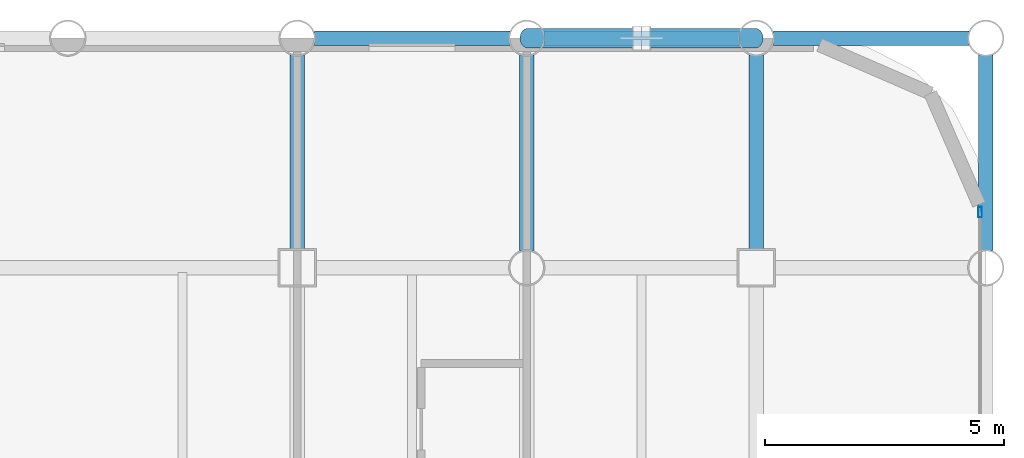
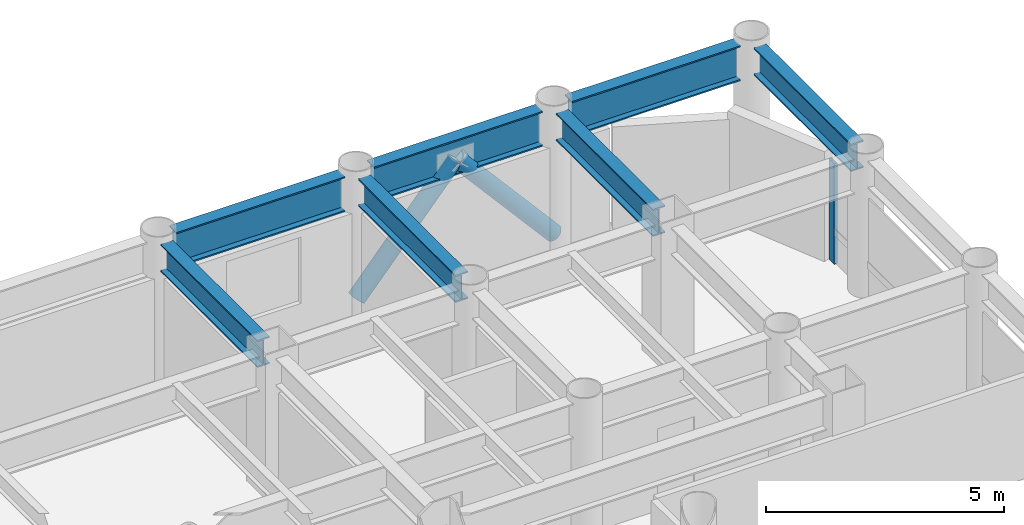
# One storey, part 14 of 21: 7 beams, 3 members, 1 element without a shape of its own.
"""IFC4 building model written with IfcOpenShell, lengths in metres."""

from ifc_helpers import new_model, si_unit, direction, frame, origin, origin_2d, place, context, subcontext, project, spatial, hollow_rectangle, hollow_circle, i_section, extrude, material, layer, layer_set, material_profile, profile_set, type_object, element, aggregate, save


model = new_model("IFC4")

# Units and contexts
model_context = context("Model", 3, precision=1e-05, world=origin(), true_north=direction((0.0, 1.0)))
body_context = subcontext(model_context, "Body", "Model", "MODEL_VIEW")
ifc_project = project(units=[si_unit("LENGTHUNIT", "METRE"), si_unit("AREAUNIT", "SQUARE_METRE"), si_unit("VOLUMEUNIT", "CUBIC_METRE"), si_unit("PLANEANGLEUNIT", "RADIAN"), si_unit("MASSUNIT", "GRAM", prefix="KILO")], contexts=[model_context])

# Site, building, storey
site_placement = place(None, origin())
site = spatial("IfcSite", under=ifc_project, at=site_placement, CompositionType="ELEMENT")
building_placement = place(site_placement, origin())
building = spatial("IfcBuilding", under=site, at=building_placement, Name="Kallvorn Hotel Tower", CompositionType="ELEMENT")
storey_placement = place(building_placement, frame((0.0, 0.0, 52.199951171875)))
storey = spatial("IfcBuildingStorey", under=building, at=storey_placement, Name="L11", CompositionType="ELEMENT", Elevation=52.199951171875)

# Beams
ifc_material_1 = material(Name="Structural steel S355JR", Category="steel")
ifc_material_profile_1 = material_profile(ifc_material_1, i_section(OverallWidth=0.300048828125, OverallDepth=0.699951171875, WebThickness=0.01708984375, FlangeThickness=0.031982421875, at=origin_2d()), Name="HE 700 B")
ifc_profile_set_1 = profile_set([ifc_material_profile_1], Name="Structural steel S355JR")
beam_type_1 = type_object("IfcBeamType", Name="BM_HE700B", PredefinedType="BEAM", material=ifc_profile_set_1)
beam_1_placement = place(storey_placement, frame((14.39990234375, 14.77490234375, 3.170166015625), z_axis=(0.0, 1.0, 0.0), x_axis=(-1.0, 0.0, 0.0)))
element("IfcBeam", 1, at=beam_1_placement, inside=storey, type_object=beam_type_1, Name="L12 Primary Y-Girder 126", PredefinedType="BEAM", context=body_context, shape_type="SweptSolid", body=[
    extrude(i_section(OverallWidth=0.300048828125, OverallDepth=0.699951171875, WebThickness=0.01708984375, FlangeThickness=0.031982421875, at=origin_2d()), origin(), (0.0, 0.0, 1.0), 4.069091796875),
])
beam_2_placement = place(storey_placement, frame((19.199951171875, 14.756103515625, 3.170166015625), z_axis=(0.0, 1.0, 0.0), x_axis=(-1.0, 0.0, 0.0)))
element("IfcBeam", 2, at=beam_2_placement, inside=storey, type_object=beam_type_1, Name="L12 Primary Y-Girder 135", PredefinedType="BEAM", context=body_context, shape_type="SweptSolid", body=[
    extrude(i_section(OverallWidth=0.300048828125, OverallDepth=0.699951171875, WebThickness=0.01708984375, FlangeThickness=0.031982421875, at=origin_2d()), origin(), (0.0, 0.0, 1.0), 4.087890625),
])
beam_3_placement = place(storey_placement, frame((24.0, 14.77490234375, 3.170166015625), z_axis=(0.0, 1.0, 0.0), x_axis=(-1.0, 0.0, 0.0)))
element("IfcBeam", 3, at=beam_3_placement, inside=storey, type_object=beam_type_1, Name="L12 Primary Y-Girder 142", PredefinedType="BEAM", context=body_context, shape_type="SweptSolid", body=[
    extrude(i_section(OverallWidth=0.300048828125, OverallDepth=0.699951171875, WebThickness=0.01708984375, FlangeThickness=0.031982421875, at=origin_2d()), origin(), (0.0, 0.0, 1.0), 4.069091796875),
])
beam_4_placement = place(storey_placement, frame((28.800048828125, 14.756103515625, 3.170166015625), z_axis=(0.0, 1.0, 0.0), x_axis=(-1.0, 0.0, 0.0)))
element("IfcBeam", 4, at=beam_4_placement, inside=storey, type_object=beam_type_1, Name="L12 Primary Y-Girder 150", PredefinedType="BEAM", context=body_context, shape_type="SweptSolid", body=[
    extrude(i_section(OverallWidth=0.300048828125, OverallDepth=0.699951171875, WebThickness=0.01708984375, FlangeThickness=0.031982421875, at=origin_2d()), origin(), (0.0, 0.0, 1.0), 4.087890625),
])
ifc_material_2 = material(Name="Structural steel S355JR", Category="steel")
ifc_material_profile_2 = material_profile(ifc_material_2, i_section(OverallWidth=0.300048828125, OverallDepth=0.89990234375, WebThickness=0.0185546875, FlangeThickness=0.034912109375, at=origin_2d()), Name="HE 900 B")
ifc_profile_set_2 = profile_set([ifc_material_profile_2], Name="Structural steel S355JR")
beam_type_2 = type_object("IfcBeamType", Name="BM_HE900B", PredefinedType="BEAM", material=ifc_profile_set_2)
beam_5_placement = place(storey_placement, frame((14.756103515625, 19.199951171875, 3.070068359375), z_axis=(1.0, 0.0, 0.0), x_axis=(0.0, 1.0, 0.0)))
element("IfcBeam", 5, at=beam_5_placement, inside=storey, type_object=beam_type_2, Name="L12 Primary X-Girder 70", PredefinedType="BEAM", context=body_context, shape_type="SweptSolid", body=[
    extrude(i_section(OverallWidth=0.300048828125, OverallDepth=0.89990234375, WebThickness=0.0185546875, FlangeThickness=0.034912109375, at=origin_2d()), origin(), (0.0, 0.0, 1.0), 4.087890625),
])
for number, where, z_axis, x_axis, name in (
    (6, (19.555908203125, 19.199951171875, 3.070068359375), (1.0, 0.0, 0.0), (0.0, 1.0, 0.0), "L12 Primary X-Girder 71"),
    (7, (24.35595703125, 19.199951171875, 3.070068359375), (1.0, 0.0, 0.0), (0.0, 1.0, 0.0), "L12 Primary X-Girder 72"),
):
    element("IfcBeam", number, at=place(storey_placement, frame(where, z_axis=z_axis, x_axis=x_axis)), inside=storey, type_object=beam_type_2, Name=name, PredefinedType="BEAM", context=body_context, shape_type="SweptSolid", body=[
        extrude(i_section(OverallWidth=0.300048828125, OverallDepth=0.89990234375, WebThickness=0.0185546875, FlangeThickness=0.034912109375, at=origin_2d()), origin(), (0.0, 0.0, 1.0), 4.088134765625),
    ])

# Curtain wall, member
ifc_material_3 = material(Name="Thermally broken black-anodised aluminium AA 6063-T6", Category="aluminium")
ifc_layer = layer(ifc_material_3, 0.199951171875)
ifc_layer_set = layer_set([ifc_layer], Name="CW_SYS_3_HOTEL_LOW")
curtain_wall_type = type_object("IfcCurtainWallType", Name="CW_SYS_3_HOTEL_LOW", PredefinedType="USERDEFINED", material=ifc_layer_set)
curtain_wall_placement = place(storey_placement, origin())
curtain_wall = element("IfcCurtainWall", 8, at=curtain_wall_placement, inside=storey, type_object=curtain_wall_type, Name="L11 Dark-Glass Curtain Wall CW-L11-EN", ObjectType="UNITISED CURTAIN WALL", PredefinedType="USERDEFINED")
ifc_material_4 = material(Name="Thermally broken black-anodised aluminium AA 6063-T6", Category="aluminium")
ifc_material_profile_3 = material_profile(ifc_material_4, hollow_rectangle(XDim=0.080078125, YDim=0.219970703125, WallThickness=0.0048828125, at=origin_2d()), Name="MUL 220x80")
ifc_profile_set_3 = profile_set([ifc_material_profile_3], Name="Thermally broken black-anodised aluminium AA 6063-T6")
member_type_1 = type_object("IfcMemberType", Name="CW_MULLION_220x80", PredefinedType="MULLION", material=ifc_profile_set_3)
member_placement = place(storey_placement, frame((28.679931640625, 15.56005859375, 0.02001953125), z_axis=(0.0, 0.0, 1.0), x_axis=(1.0, 0.0, 0.0)))
member = element("IfcMember", 9, at=member_placement, type_object=member_type_1, Name="CW-L11-EN Mullion 01", PredefinedType="MULLION", context=body_context, shape_type="SweptSolid", body=[
    extrude(hollow_rectangle(XDim=0.080078125, YDim=0.219970703125, WallThickness=0.0048828125, at=origin_2d()), origin(), (0.0, 0.0, 1.0), 2.580078125),
])
aggregate(curtain_wall, [member])

# Members
ifc_material_5 = material(Name="Structural steel S355J2H", Category="steel")
ifc_material_profile_4 = material_profile(ifc_material_5, hollow_circle(Radius=0.203125, WallThickness=0.01611328125, at=origin_2d()), Name="CHS 406.4x16")
ifc_profile_set_4 = profile_set([ifc_material_profile_4], Name="Structural steel S355J2H")
member_type_2 = type_object("IfcMemberType", Name="MBR_EXO_CHS406", PredefinedType="BRACE", material=ifc_profile_set_4)
for number, where, z_axis, x_axis, name in (
    (10, (19.213134765625, 19.199951171875, 0.195068359375), (0.653427382465, 0.0, 0.756989204576), (0.0, 1.0, 0.0), "L11 Exoskeleton K-Brace N2A"),
    (11, (23.98681640625, 19.199951171875, 0.195068359375), (-0.653427382465, 0.0, 0.756989204576), (0.0, -1.0, 0.0), "L11 Exoskeleton K-Brace N2B"),
):
    element("IfcMember", number, at=place(storey_placement, frame(where, z_axis=z_axis, x_axis=x_axis)), inside=storey, type_object=member_type_2, Name=name, PredefinedType="BRACE", context=body_context, shape_type="SweptSolid", body=[
        extrude(hollow_circle(Radius=0.203125, WallThickness=0.01611328125, at=origin_2d()), origin(), (0.0, 0.0, 1.0), 3.6328125),
    ])

save(model, "model.ifc")
